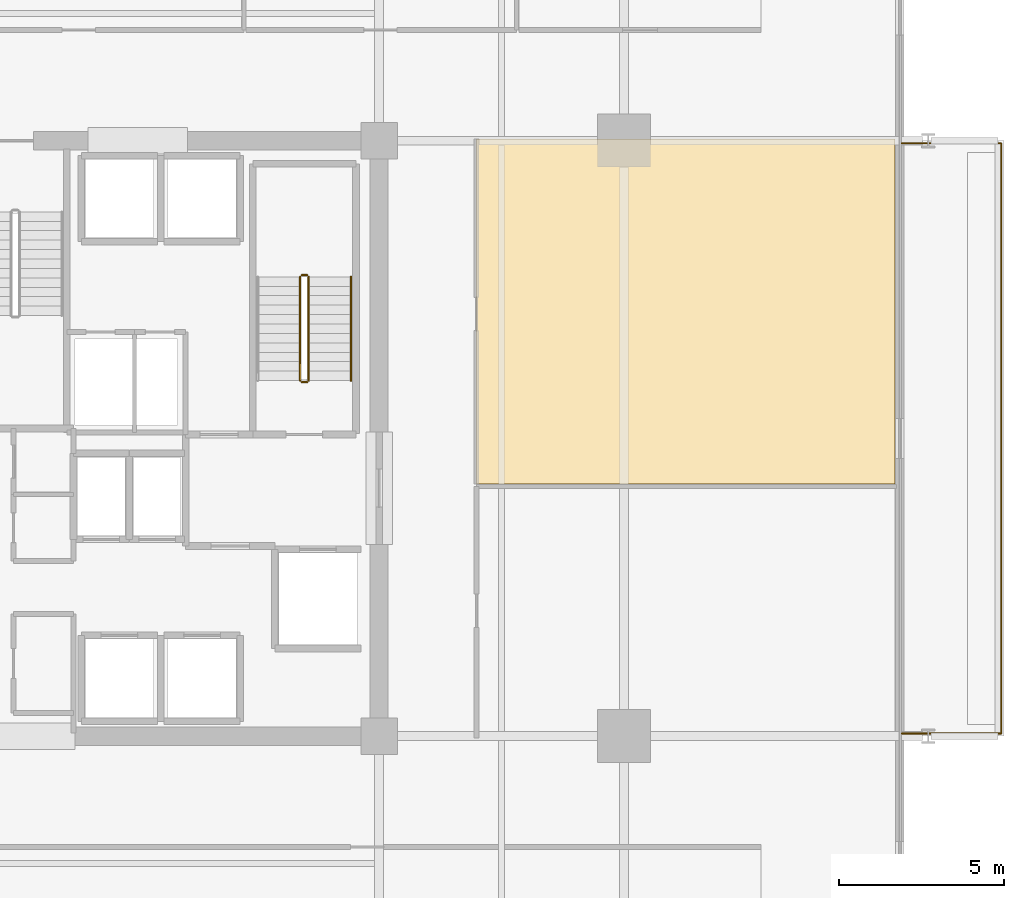
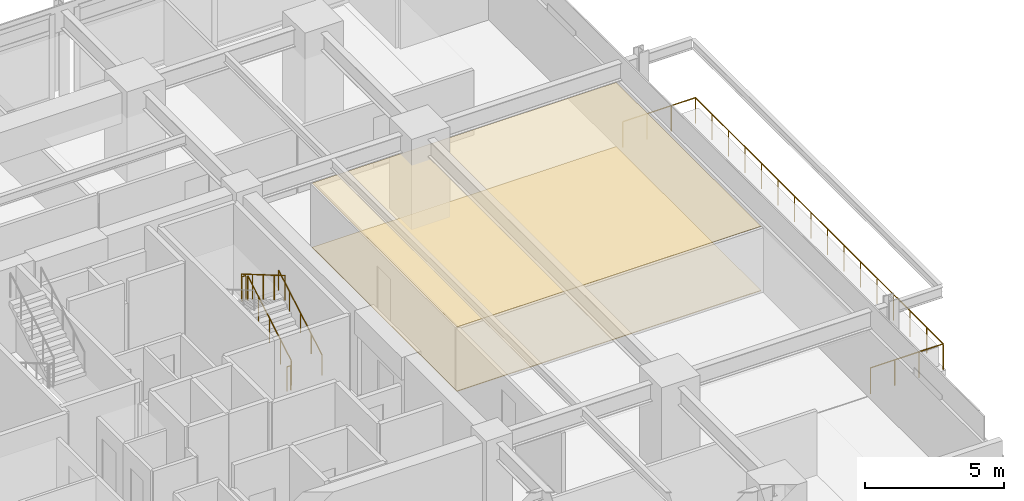
# One storey, part 20 of 21: 6 railings, 2 coverings.
"""IFC4 building model written with IfcOpenShell, lengths in metres."""

from ifc_helpers import new_model, si_unit, direction, frame, origin, origin_2d, place, context, subcontext, project, spatial, polyline, circle, outline, extrude, material, layer, layer_set, type_object, element, save


model = new_model("IFC4")

# Units and contexts
model_context = context("Model", 3, precision=1e-05, world=origin(), true_north=direction((0.0, 1.0)))
body_context = subcontext(model_context, "Body", "Model", "MODEL_VIEW")
ifc_project = project(units=[si_unit("LENGTHUNIT", "METRE"), si_unit("AREAUNIT", "SQUARE_METRE"), si_unit("VOLUMEUNIT", "CUBIC_METRE"), si_unit("PLANEANGLEUNIT", "RADIAN"), si_unit("MASSUNIT", "GRAM", prefix="KILO")], contexts=[model_context])

# Site, building, storey
site_placement = place(None, origin())
site = spatial("IfcSite", under=ifc_project, at=site_placement, CompositionType="ELEMENT")
building_placement = place(site_placement, origin())
building = spatial("IfcBuilding", under=site, at=building_placement, Name="Kovane Verandah Tower", CompositionType="ELEMENT")
storey_placement = place(building_placement, frame((0.0, 0.0, 172.39990234375)))
storey = spatial("IfcBuildingStorey", under=building, at=storey_placement, Name="L40", CompositionType="ELEMENT", Elevation=172.39990234375)

# Coverings
ifc_material_1 = material(Name="Perforated Acoustic Mineral-Fibre Ceiling Tile", Category="gypsum")
ifc_layer_1 = layer(ifc_material_1, 0.02490234375)
ifc_layer_set_1 = layer_set([ifc_layer_1], Name="Perforated Acoustic Mineral-Fibre Ceiling Tile")
covering_type_1 = type_object("IfcCoveringType", Name="CV-CEIL-25", PredefinedType="CEILING", material=ifc_layer_set_1)
covering_1_placement = place(storey_placement, frame((0.0, 0.0, 2.8251953125)))
element("IfcCovering", 1, at=covering_1_placement, inside=storey, type_object=covering_type_1, Name="L40 Collaboration Hub E2 Acoustic Ceiling", PredefinedType="CEILING", context=body_context, shape_type="SweptSolid", body=[
    extrude(outline(polyline([(53.949951171875, 26.1220703125), (66.588623046875, 26.1220703125), (66.588623046875, 36.550048828125), (53.949951171875, 36.550048828125), (53.949951171875, 26.1220703125)])), origin(), (0.0, 0.0, 1.0), 0.02490234375),
])
ifc_material_2 = material(Name="Polished Terrazzo and Raised-Access Carpet Tile Finish", Category="concrete")
ifc_layer_2 = layer(ifc_material_2, 0.030029296875)
ifc_layer_set_2 = layer_set([ifc_layer_2], Name="Polished Terrazzo and Raised-Access Carpet Tile Finish")
covering_type_2 = type_object("IfcCoveringType", Name="CV-FLOR-30", PredefinedType="FLOORING", material=ifc_layer_set_2)
covering_2_placement = place(storey_placement, origin())
element("IfcCovering", 2, at=covering_2_placement, inside=storey, type_object=covering_type_2, Name="L40 Collaboration Hub E2 Floor Finish", PredefinedType="FLOORING", context=body_context, shape_type="SweptSolid", body=[
    extrude(outline(polyline([(53.949951171875, 26.1220703125), (66.588623046875, 26.1220703125), (66.588623046875, 36.550048828125), (53.949951171875, 36.550048828125), (53.949951171875, 26.1220703125)])), origin(), (0.0, 0.0, 1.0), 0.030029296875),
])

# Railings
ifc_material_3 = material(Name="Laminated Glass and Pale-Champagne Stainless Balustrade", Category="glass")
railing_type_1 = type_object("IfcRailingType", Name="RL-BAL-1150", PredefinedType="BALUSTRADE", material=ifc_material_3)
railing_1_placement = place(storey_placement, frame((66.788818359375, 18.580078125, 0.0)))
element("IfcRailing", 3, at=railing_1_placement, inside=storey, type_object=railing_type_1, Name="L40 E Verandah Glass Balustrade", PredefinedType="BALUSTRADE", context=body_context, shape_type="SweptSolid", body=[
    extrude(circle(Radius=0.02392578125, at=origin_2d()), frame((0.0, 0.0, 1.1259765625), z_axis=(1.0, 0.0, 0.0), x_axis=(0.0, 1.0, 0.0)), (0.0, 0.0, 1.0), 3.019775390625),
    extrude(circle(Radius=0.02392578125, at=origin_2d()), frame((3.019775390625, 0.0, 1.1259765625), z_axis=(0.0, 1.0, 0.0), x_axis=(-1.0, 0.0, 0.0)), (0.0, 0.0, 1.0), 17.83984375),
    extrude(circle(Radius=0.02392578125, at=origin_2d()), frame((3.019775390625, 17.83984375, 1.1259765625), z_axis=(-1.0, 0.0, 0.0), x_axis=(0.0, -1.0, 0.0)), (0.0, 0.0, 1.0), 3.019775390625),
    extrude(circle(Radius=0.02099609375, at=origin_2d()), origin(), (0.0, 0.0, 1.0), 1.101806640625),
    extrude(circle(Radius=0.02099609375, at=origin_2d()), frame((1.006591796875, 0.0, 0.0)), (0.0, 0.0, 1.0), 1.101806640625),
    extrude(circle(Radius=0.02099609375, at=origin_2d()), frame((2.01318359375, 0.0, 0.0)), (0.0, 0.0, 1.0), 1.101806640625),
    extrude(circle(Radius=0.02099609375, at=origin_2d()), frame((3.019775390625, 0.0, 0.0)), (0.0, 0.0, 1.0), 1.101806640625),
    extrude(circle(Radius=0.02099609375, at=origin_2d()), frame((3.019775390625, 1.189208984375, 0.0)), (0.0, 0.0, 1.0), 1.101806640625),
    extrude(circle(Radius=0.02099609375, at=origin_2d()), frame((3.019775390625, 2.378662109375, 0.0)), (0.0, 0.0, 1.0), 1.101806640625),
    extrude(circle(Radius=0.02099609375, at=origin_2d()), frame((3.019775390625, 3.56787109375, 0.0)), (0.0, 0.0, 1.0), 1.101806640625),
    extrude(circle(Radius=0.02099609375, at=origin_2d()), frame((3.019775390625, 4.75732421875, 0.0)), (0.0, 0.0, 1.0), 1.101806640625),
    extrude(circle(Radius=0.02099609375, at=origin_2d()), frame((3.019775390625, 5.946533203125, 0.0)), (0.0, 0.0, 1.0), 1.101806640625),
    extrude(circle(Radius=0.02099609375, at=origin_2d()), frame((3.019775390625, 7.135986328125, 0.0)), (0.0, 0.0, 1.0), 1.101806640625),
    extrude(circle(Radius=0.02099609375, at=origin_2d()), frame((3.019775390625, 8.3251953125, 0.0)), (0.0, 0.0, 1.0), 1.101806640625),
    extrude(circle(Radius=0.02099609375, at=origin_2d()), frame((3.019775390625, 9.5146484375, 0.0)), (0.0, 0.0, 1.0), 1.101806640625),
    extrude(circle(Radius=0.02099609375, at=origin_2d()), frame((3.019775390625, 10.703857421875, 0.0)), (0.0, 0.0, 1.0), 1.101806640625),
    extrude(circle(Radius=0.02099609375, at=origin_2d()), frame((3.019775390625, 11.893310546875, 0.0)), (0.0, 0.0, 1.0), 1.101806640625),
    extrude(circle(Radius=0.02099609375, at=origin_2d()), frame((3.019775390625, 13.08251953125, 0.0)), (0.0, 0.0, 1.0), 1.101806640625),
    extrude(circle(Radius=0.02099609375, at=origin_2d()), frame((3.019775390625, 14.27197265625, 0.0)), (0.0, 0.0, 1.0), 1.101806640625),
    extrude(circle(Radius=0.02099609375, at=origin_2d()), frame((3.019775390625, 15.461181640625, 0.0)), (0.0, 0.0, 1.0), 1.101806640625),
    extrude(circle(Radius=0.02099609375, at=origin_2d()), frame((3.019775390625, 16.650634765625, 0.0)), (0.0, 0.0, 1.0), 1.101806640625),
    extrude(circle(Radius=0.02099609375, at=origin_2d()), frame((3.019775390625, 17.83984375, 0.0)), (0.0, 0.0, 1.0), 1.101806640625),
    extrude(circle(Radius=0.02099609375, at=origin_2d()), frame((2.01318359375, 17.83984375, 0.0)), (0.0, 0.0, 1.0), 1.101806640625),
    extrude(circle(Radius=0.02099609375, at=origin_2d()), frame((1.006591796875, 17.83984375, 0.0)), (0.0, 0.0, 1.0), 1.101806640625),
    extrude(circle(Radius=0.02099609375, at=origin_2d()), frame((0.0, 17.83984375, 0.0)), (0.0, 0.0, 1.0), 1.101806640625),
])
ifc_material_4 = material(Name="Brushed Stainless Steel Handrail", Category="steel")
railing_type_2 = type_object("IfcRailingType", Name="RL-HAND-920", PredefinedType="HANDRAIL", material=ifc_material_4)
railing_2_placement = place(storey_placement, frame((50.14990234375, 29.25, 0.166748046875)))
element("IfcRailing", 4, at=railing_2_placement, inside=storey, type_object=railing_type_2, Name="L40 ST-02 stair handrail 1", PredefinedType="HANDRAIL", context=body_context, shape_type="SweptSolid", body=[
    extrude(circle(Radius=0.02392578125, at=origin_2d()), frame((0.0, 0.0, 0.8759765625), z_axis=(0.0, 0.863239559939, 0.504794475164), x_axis=(-1.0, 0.0, 0.0)), (0.0, 0.0, 1.0), 3.631591796875),
    extrude(circle(Radius=0.02099609375, at=origin_2d()), origin(), (0.0, 0.0, 1.0), 0.851806640625),
    extrude(circle(Radius=0.02099609375, at=origin_2d()), frame((0.0, 0.78369140625, 0.458251953125)), (0.0, 0.0, 1.0), 0.851806640625),
    extrude(circle(Radius=0.02099609375, at=origin_2d()), frame((0.0, 1.5673828125, 0.91650390625)), (0.0, 0.0, 1.0), 0.851806640625),
    extrude(circle(Radius=0.02099609375, at=origin_2d()), frame((0.0, 2.351318359375, 1.375)), (0.0, 0.0, 1.0), 0.851806640625),
    extrude(circle(Radius=0.02099609375, at=origin_2d()), frame((0.0, 3.135009765625, 1.833251953125)), (0.0, 0.0, 1.0), 0.851806640625),
])
ifc_material_5 = material(Name="Painted Steel Stairwell Guardrail", Category="steel")
railing_type_3 = type_object("IfcRailingType", Name="RL-STGUARD-1120", PredefinedType="GUARDRAIL", material=ifc_material_5)
railing_3_placement = place(storey_placement, frame((48.8701171875, 29.25, 0.166748046875)))
element("IfcRailing", 5, at=railing_3_placement, inside=storey, type_object=railing_type_3, Name="L40 ST-02 stair guard 1", PredefinedType="GUARDRAIL", context=body_context, shape_type="SweptSolid", body=[
    extrude(circle(Radius=0.02392578125, at=origin_2d()), frame((0.0, 0.0, 1.076171875), z_axis=(0.0, 0.863239559939, 0.504794475164), x_axis=(-1.0, 0.0, 0.0)), (0.0, 0.0, 1.0), 3.631591796875),
    extrude(circle(Radius=0.02099609375, at=origin_2d()), origin(), (0.0, 0.0, 1.0), 1.052001953125),
    extrude(circle(Radius=0.02099609375, at=origin_2d()), frame((0.0, 0.78369140625, 0.458251953125)), (0.0, 0.0, 1.0), 1.052001953125),
    extrude(circle(Radius=0.02099609375, at=origin_2d()), frame((0.0, 1.5673828125, 0.91650390625)), (0.0, 0.0, 1.0), 1.052001953125),
    extrude(circle(Radius=0.02099609375, at=origin_2d()), frame((0.0, 2.351318359375, 1.375)), (0.0, 0.0, 1.0), 1.052001953125),
    extrude(circle(Radius=0.02099609375, at=origin_2d()), frame((0.0, 3.135009765625, 1.833251953125)), (0.0, 0.0, 1.0), 1.052001953125),
])
railing_4_placement = place(storey_placement, frame((48.820068359375, 32.43505859375, 2.0)))
element("IfcRailing", 6, at=railing_4_placement, inside=storey, type_object=railing_type_3, Name="L40 ST-02 stair guard 2", PredefinedType="GUARDRAIL", context=body_context, shape_type="SweptSolid", body=[
    extrude(circle(Radius=0.02392578125, at=origin_2d()), frame((0.0, 0.0, 1.076171875), z_axis=(-1.0, 0.0, 0.0), x_axis=(0.0, -1.0, 0.0)), (0.0, 0.0, 1.0), 0.16015625),
    extrude(circle(Radius=0.02099609375, at=origin_2d()), origin(), (0.0, 0.0, 1.0), 1.052001953125),
    extrude(circle(Radius=0.02099609375, at=origin_2d()), frame((-0.16015625, 0.0, 0.0)), (0.0, 0.0, 1.0), 1.052001953125),
])
railing_5_placement = place(storey_placement, frame((48.610107421875, 32.385009765625, 2.166748046875)))
element("IfcRailing", 7, at=railing_5_placement, inside=storey, type_object=railing_type_3, Name="L40 ST-02 stair guard 3", PredefinedType="GUARDRAIL", context=body_context, shape_type="SweptSolid", body=[
    extrude(circle(Radius=0.02392578125, at=origin_2d()), frame((0.0, 0.0, 1.076171875), z_axis=(0.0, -0.863239559939, 0.504794475164), x_axis=(1.0, 0.0, 0.0)), (0.0, 0.0, 1.0), 3.631591796875),
    extrude(circle(Radius=0.02099609375, at=origin_2d()), origin(), (0.0, 0.0, 1.0), 1.052001953125),
    extrude(circle(Radius=0.02099609375, at=origin_2d()), frame((0.0, -0.78369140625, 0.458251953125)), (0.0, 0.0, 1.0), 1.052001953125),
    extrude(circle(Radius=0.02099609375, at=origin_2d()), frame((0.0, -1.5673828125, 0.91650390625)), (0.0, 0.0, 1.0), 1.052001953125),
    extrude(circle(Radius=0.02099609375, at=origin_2d()), frame((0.0, -2.351318359375, 1.375)), (0.0, 0.0, 1.0), 1.052001953125),
    extrude(circle(Radius=0.02099609375, at=origin_2d()), frame((0.0, -3.135009765625, 1.833251953125)), (0.0, 0.0, 1.0), 1.052001953125),
])
railing_6_placement = place(storey_placement, frame((48.820068359375, 29.199951171875, 0.0)))
element("IfcRailing", 8, at=railing_6_placement, inside=storey, type_object=railing_type_3, Name="L40 ST-02 stair guard 4", PredefinedType="GUARDRAIL", context=body_context, shape_type="SweptSolid", body=[
    extrude(circle(Radius=0.02392578125, at=origin_2d()), frame((0.0, 0.0, 1.076171875), z_axis=(-1.0, 0.0, 0.0), x_axis=(0.0, -1.0, 0.0)), (0.0, 0.0, 1.0), 0.16015625),
    extrude(circle(Radius=0.02099609375, at=origin_2d()), origin(), (0.0, 0.0, 1.0), 1.052001953125),
    extrude(circle(Radius=0.02099609375, at=origin_2d()), frame((-0.16015625, 0.0, 0.0)), (0.0, 0.0, 1.0), 1.052001953125),
])

save(model, "model.ifc")
